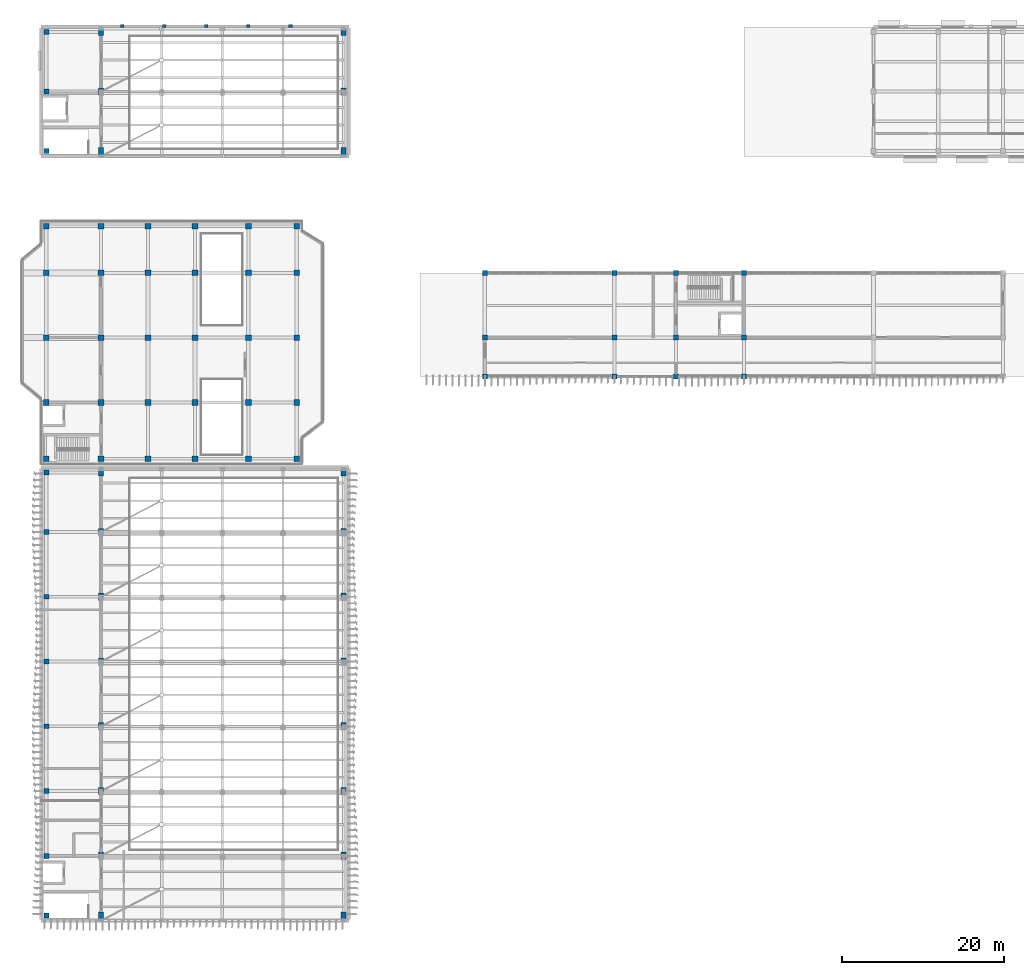
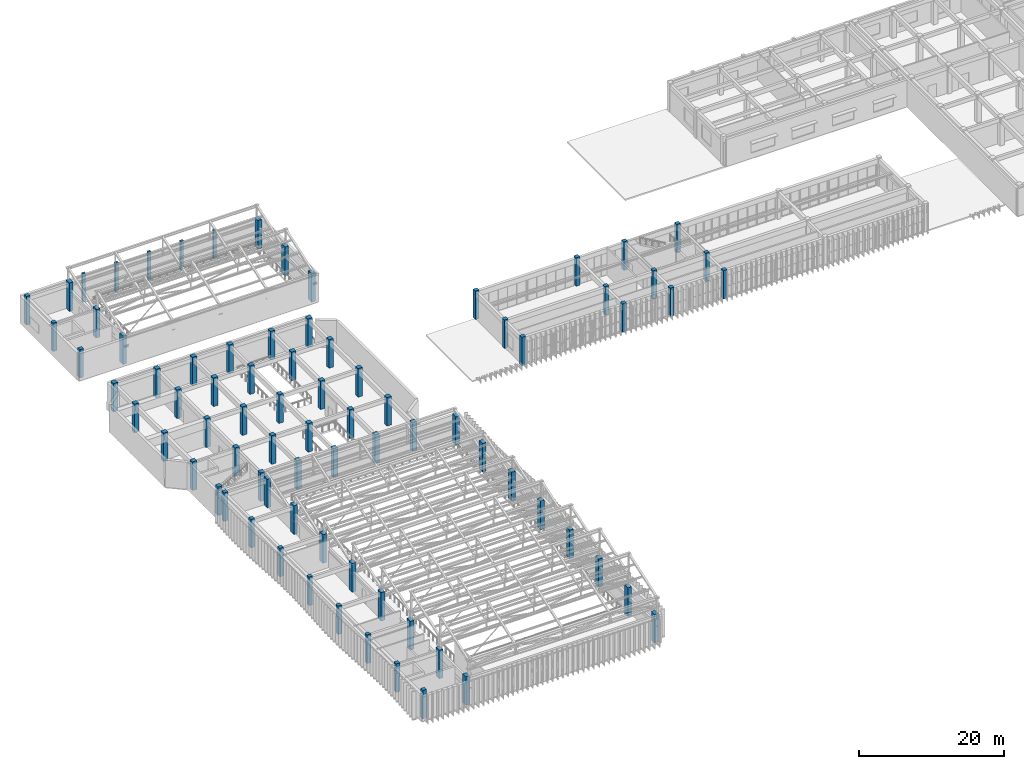
# One storey, part 1 of 76: 80 columns.
"""IFC4 building model written with IfcOpenShell, lengths in metres."""

import ifcopenshell
import ifcopenshell.guid

model = None  # the IFC model being written
_history = None  # IfcOwnerHistory: only IFC2X3 demands one
_inside = {}  # id of a spatial element -> (the spatial element, [elements in it])
_under = {}  # id of a project, library or spatial element -> (it, [spatial elements below it])
_declared = {}  # id of a project -> (the project, [libraries it declares])
_typed = {}  # id of a type object -> (the type object, [elements of that type])
_made_of = {}  # id of a material, layer set ... -> (it, [elements and type objects made of it])


def new_model(schema):
    """Start an empty IFC model of exactly this schema.

    Asked for "IFC4X3", IfcOpenShell would pick the latest addendum, in which some entities
    have other attributes; the version numbers below select the first issue.
    IFC2X3 requires an IfcOwnerHistory on every rooted entity: one is made here for all.
    """
    global model, _history
    if schema == "IFC4X3":
        model = ifcopenshell.file(schema_version=(4, 3, 0, 0))
    else:
        model = ifcopenshell.file(schema=schema)
    _inside.clear()
    _under.clear()
    _declared.clear()
    _typed.clear()
    _made_of.clear()
    _history = None
    if model.schema == "IFC2X3":
        org = make("IfcOrganization", Name="unknown")
        user = make(
            "IfcPersonAndOrganization",
            ThePerson=make("IfcPerson", FamilyName="unknown"),
            TheOrganization=org,
        )
        app = make(
            "IfcApplication",
            ApplicationDeveloper=org,
            Version="unknown",
            ApplicationFullName="unknown",
            ApplicationIdentifier="unknown",
        )
        _history = make(
            "IfcOwnerHistory",
            OwningUser=user,
            OwningApplication=app,
            ChangeAction="ADDED",
            CreationDate=0,
        )
    return model


def make(cls, **values):
    """One entity of the class cls with the attributes given. An attribute that is None is left unset."""
    return model.create_entity(
        cls, **{name: value for name, value in values.items() if value is not None}
    )


def rooted(cls, **values):
    """An entity with a GlobalId (a new one), such as an element, a storey or a relation."""
    return make(cls, GlobalId=ifcopenshell.guid.new(), OwnerHistory=_history, **values)


def si_unit(unit_type, name, prefix=None):
    """IfcSIUnit, for example si_unit("LENGTHUNIT", "METRE", prefix="MILLI")."""
    return make("IfcSIUnit", UnitType=unit_type, Prefix=prefix, Name=name)


def assignment(units):
    """IfcUnitAssignment: the units of a project."""
    return None if units is None else make("IfcUnitAssignment", Units=units)


def point(xyz):
    """IfcCartesianPoint."""
    return None if xyz is None else make("IfcCartesianPoint", Coordinates=xyz)


def direction(xyz):
    """IfcDirection."""
    return None if xyz is None else make("IfcDirection", DirectionRatios=xyz)


def frame(location, z_axis=None, x_axis=None):
    """IfcAxis2Placement3D, a coordinate frame: its origin and axes. An axis left out is left unset."""
    return make(
        "IfcAxis2Placement3D",
        Location=point(location),
        Axis=direction(z_axis),
        RefDirection=direction(x_axis),
    )


def frame_2d(location, x_axis=None):
    """IfcAxis2Placement2D, a coordinate frame in the plane: its origin and x axis."""
    return make(
        "IfcAxis2Placement2D", Location=point(location), RefDirection=direction(x_axis)
    )


def origin():
    """The frame at (0, 0, 0) with its axes left unset."""
    return frame((0.0, 0.0, 0.0))


def origin_2d():
    """The frame at (0, 0) in the plane with its x axis left unset."""
    return frame_2d((0.0, 0.0))


def place(relative_to, where):
    """IfcLocalPlacement: puts the frame where relative to a parent placement (None: the world)."""
    return make(
        "IfcLocalPlacement", PlacementRelTo=relative_to, RelativePlacement=where
    )


def context(
    kind, dimensions, precision=None, world=None, true_north=None, identifier=None
):
    """IfcGeometricRepresentationContext, for example the 3D "Model" context."""
    return make(
        "IfcGeometricRepresentationContext",
        ContextIdentifier=identifier,
        ContextType=kind,
        CoordinateSpaceDimension=dimensions,
        Precision=precision,
        WorldCoordinateSystem=world,
        TrueNorth=true_north,
    )


def subcontext(parent, identifier, kind, view, scale=None):
    """IfcGeometricRepresentationSubContext, for example "Body" below "Model"."""
    return make(
        "IfcGeometricRepresentationSubContext",
        ContextIdentifier=identifier,
        ContextType=kind,
        ParentContext=parent,
        TargetScale=scale,
        TargetView=view,
    )


def project(units=None, contexts=None):
    """IfcProject with its units and contexts."""
    return rooted(
        "IfcProject",
        Name="project",
        RepresentationContexts=contexts,
        UnitsInContext=assignment(units),
    )


def spatial(cls, under=None, at=None, **own):
    """A site, building, storey or space (cls), placed at a placement, below another one or the project."""
    s = rooted(cls, ObjectPlacement=at, **own)
    if under is not None:
        _under.setdefault(under.id(), (under, []))[1].append(s)
    return s


def profile(cls, at=None, kind="AREA", **sizes):
    """A parametric profile (cls). Its sizes go by their IFC names, for example OverallWidth=200.0."""
    return make(cls, ProfileType=kind, Position=at, **sizes)


def rectangle(**sizes):
    """IfcRectangleProfileDef."""
    return profile("IfcRectangleProfileDef", **sizes)


def extrude(swept, where, along, depth):
    """IfcExtrudedAreaSolid: the profile swept, set in the frame where, extruded along a direction by depth."""
    return make(
        "IfcExtrudedAreaSolid",
        SweptArea=swept,
        Position=where,
        ExtrudedDirection=direction(along),
        Depth=depth,
    )


def shape(context_of_items, identifier, shape_type, items):
    """IfcShapeRepresentation: the items that make up one representation, for example the "Body"."""
    return make(
        "IfcShapeRepresentation",
        ContextOfItems=context_of_items,
        RepresentationIdentifier=identifier,
        RepresentationType=shape_type,
        Items=items,
    )


def material(Name=None, Category=None):
    """IfcMaterial."""
    return make("IfcMaterial", Name=Name, Category=Category)


def material_profile(
    of_material, cross_section, Name=None, Category=None, Priority=None
):
    """IfcMaterialProfile: a cross section and its material."""
    return make(
        "IfcMaterialProfile",
        Name=Name,
        Material=of_material,
        Profile=cross_section,
        Priority=Priority,
        Category=Category,
    )


def profile_set(profiles, Name=None, composite=None):
    """IfcMaterialProfileSet."""
    return make(
        "IfcMaterialProfileSet",
        Name=Name,
        MaterialProfiles=profiles,
        CompositeProfile=composite,
    )


def made_of(thing, what):
    """Note that an element or type object is made of a material, layer set ...; save() writes the relation."""
    if what is not None:
        _made_of.setdefault(what.id(), (what, []))[1].append(thing)
    return thing


def type_object(cls, material=None, **own):
    """A type object (cls), such as IfcWallType, which elements share."""
    return made_of(rooted(cls, **own), material)


def element(
    cls,
    number,
    at=None,
    inside=None,
    cuts=None,
    type_object=None,
    material=None,
    context=None,
    identifier="Body",
    shape_type=None,
    held_by="IfcProductDefinitionShape",
    body=None,
    shapes=None,
    **own,
):
    """One element of the class cls, such as IfcWall. Its Tag is "e" and its number.

    at: its placement. inside: the storey or other place that contains it. cuts: it is an
    opening in that element (IfcRelVoidsElement). A single representation is given by context,
    identifier, shape_type and body (its items); several are given by shapes. held_by: the class
    of the entity that holds the representations. save() writes the other relations.
    """
    e = rooted(cls, Tag="e%d" % number, ObjectPlacement=at, **own)
    if body is not None:
        shapes = [shape(context, identifier, shape_type, body)]
    if shapes is not None:
        e.Representation = make(held_by, Representations=shapes)
    if inside is not None:
        _inside.setdefault(inside.id(), (inside, []))[1].append(e)
    if cuts is not None:
        rooted(
            "IfcRelVoidsElement", RelatingBuildingElement=cuts, RelatedOpeningElement=e
        )
    if type_object is not None:
        _typed.setdefault(type_object.id(), (type_object, []))[1].append(e)
    return made_of(e, material)


def aggregate(whole, parts):
    """IfcRelAggregates: a whole, such as a stair, and the parts it consists of."""
    return rooted("IfcRelAggregates", RelatingObject=whole, RelatedObjects=parts)


def save(model, path):
    """Write the relations noted so far, then the file.

    IfcRelAggregates (storeys below a building ...), IfcRelContainedInSpatialStructure (elements
    in a storey), IfcRelDefinesByType, IfcRelAssociatesMaterial and IfcRelDeclares: one each for
    every whole, place, type object, material and project.
    """
    for whole, parts in _under.values():
        aggregate(whole, parts)
    for where, things in _inside.values():
        rooted(
            "IfcRelContainedInSpatialStructure",
            RelatedElements=things,
            RelatingStructure=where,
        )
    for kind, things in _typed.values():
        rooted("IfcRelDefinesByType", RelatedObjects=things, RelatingType=kind)
    for what, things in _made_of.values():
        rooted("IfcRelAssociatesMaterial", RelatedObjects=things, RelatingMaterial=what)
    for by, libraries in _declared.values():
        rooted("IfcRelDeclares", RelatingContext=by, RelatedDefinitions=libraries)
    model.write(path)


model = new_model("IFC4")

# Units and contexts
model_context = context("Model", 3, precision=1e-05, world=origin(), true_north=direction((0.0, 1.0)))
body_context = subcontext(model_context, "Body", "Model", "MODEL_VIEW")
ifc_project = project(units=[si_unit("LENGTHUNIT", "METRE"), si_unit("AREAUNIT", "SQUARE_METRE"), si_unit("VOLUMEUNIT", "CUBIC_METRE"), si_unit("PLANEANGLEUNIT", "RADIAN"), si_unit("MASSUNIT", "GRAM", prefix="KILO")], contexts=[model_context])

# Site, building, storey
site_placement = place(None, origin())
site = spatial("IfcSite", under=ifc_project, at=site_placement, CompositionType="ELEMENT")
building_placement = place(site_placement, origin())
building = spatial("IfcBuilding", under=site, at=building_placement, Name="Cinchona Park Media Centre", CompositionType="ELEMENT")
storey_placement = place(building_placement, frame((0.0, 0.0, 15.60009765625)))
storey = spatial("IfcBuildingStorey", under=building, at=storey_placement, Name="L03", CompositionType="ELEMENT", Elevation=15.60009765625)

# Columns
ifc_material_1 = material(Name="Concrete C40/50", Category="concrete")
ifc_material_profile_1 = material_profile(ifc_material_1, rectangle(XDim=0.699951171875, YDim=0.699951171875, at=origin_2d()), Name="RC 700X700")
ifc_profile_set_1 = profile_set([ifc_material_profile_1], Name="Concrete C40/50")
column_type_1 = type_object("IfcColumnType", Name="COL-C02-RC700X700", PredefinedType="COLUMN", material=ifc_profile_set_1)
for number, where, z_axis, x_axis, name in (
    (1, (8.639892578125, 64.639892578125, 0.0), (0.0, 0.0, 1.0), (1.0, 0.0, 0.0), "Column C02 L03"),
    (2, (8.639892578125, 71.60009765625, 0.0), (0.0, 0.0, 1.0), (1.0, 0.0, 0.0), "Column C02 L03"),
    (3, (8.639892578125, 79.60009765625, 0.0), (0.0, 0.0, 1.0), (1.0, 0.0, 0.0), "Column C02 L03"),
    (4, (8.639892578125, 87.60009765625, 0.0), (0.0, 0.0, 1.0), (1.0, 0.0, 0.0), "Column C02 L03"),
    (5, (8.639892578125, 93.360107421875, 0.0), (0.0, 0.0, 1.0), (1.0, 0.0, 0.0), "Column C02 L03"),
    (6, (15.39990234375, 64.639892578125, 0.0), (0.0, 0.0, 1.0), (1.0, 0.0, 0.0), "Column C02 L03"),
    (7, (15.39990234375, 71.60009765625, 0.0), (0.0, 0.0, 1.0), (1.0, 0.0, 0.0), "Column C02 L03"),
    (8, (15.39990234375, 79.60009765625, 0.0), (0.0, 0.0, 1.0), (1.0, 0.0, 0.0), "Column C02 L03"),
    (9, (15.39990234375, 87.60009765625, 0.0), (0.0, 0.0, 1.0), (1.0, 0.0, 0.0), "Column C02 L03"),
    (10, (15.39990234375, 93.360107421875, 0.0), (0.0, 0.0, 1.0), (1.0, 0.0, 0.0), "Column C02 L03"),
    (11, (21.199951171875, 64.639892578125, 0.0), (0.0, 0.0, 1.0), (1.0, 0.0, 0.0), "Column C02 L03"),
    (12, (21.199951171875, 71.60009765625, 0.0), (0.0, 0.0, 1.0), (1.0, 0.0, 0.0), "Column C02 L03"),
    (13, (21.199951171875, 79.60009765625, 0.0), (0.0, 0.0, 1.0), (1.0, 0.0, 0.0), "Column C02 L03"),
    (14, (21.199951171875, 87.60009765625, 0.0), (0.0, 0.0, 1.0), (1.0, 0.0, 0.0), "Column C02 L03"),
    (15, (21.199951171875, 93.360107421875, 0.0), (0.0, 0.0, 1.0), (1.0, 0.0, 0.0), "Column C02 L03"),
    (16, (27.0, 64.639892578125, 0.0), (0.0, 0.0, 1.0), (1.0, 0.0, 0.0), "Column C02 L03"),
    (17, (27.0, 71.60009765625, 0.0), (0.0, 0.0, 1.0), (1.0, 0.0, 0.0), "Column C02 L03"),
    (18, (27.0, 79.60009765625, 0.0), (0.0, 0.0, 1.0), (1.0, 0.0, 0.0), "Column C02 L03"),
    (19, (27.0, 87.60009765625, 0.0), (0.0, 0.0, 1.0), (1.0, 0.0, 0.0), "Column C02 L03"),
    (20, (27.0, 93.360107421875, 0.0), (0.0, 0.0, 1.0), (1.0, 0.0, 0.0), "Column C02 L03"),
    (21, (33.60009765625, 64.639892578125, 0.0), (0.0, 0.0, 1.0), (1.0, 0.0, 0.0), "Column C02 L03"),
    (22, (33.60009765625, 71.60009765625, 0.0), (0.0, 0.0, 1.0), (1.0, 0.0, 0.0), "Column C02 L03"),
    (23, (33.60009765625, 79.60009765625, 0.0), (0.0, 0.0, 1.0), (1.0, 0.0, 0.0), "Column C02 L03"),
    (24, (33.60009765625, 87.60009765625, 0.0), (0.0, 0.0, 1.0), (1.0, 0.0, 0.0), "Column C02 L03"),
    (25, (33.60009765625, 93.360107421875, 0.0), (0.0, 0.0, 1.0), (1.0, 0.0, 0.0), "Column C02 L03"),
    (26, (39.56005859375, 64.639892578125, 0.0), (0.0, 0.0, 1.0), (1.0, 0.0, 0.0), "Column C02 L03"),
    (27, (39.56005859375, 71.60009765625, 0.0), (0.0, 0.0, 1.0), (1.0, 0.0, 0.0), "Column C02 L03"),
    (28, (39.56005859375, 79.60009765625, 0.0), (0.0, 0.0, 1.0), (1.0, 0.0, 0.0), "Column C02 L03"),
    (29, (39.56005859375, 87.60009765625, 0.0), (0.0, 0.0, 1.0), (1.0, 0.0, 0.0), "Column C02 L03"),
    (30, (39.56005859375, 93.360107421875, 0.0), (0.0, 0.0, 1.0), (1.0, 0.0, 0.0), "Column C02 L03"),
):
    element("IfcColumn", number, at=place(storey_placement, frame(where, z_axis=z_axis, x_axis=x_axis)), inside=storey, type_object=column_type_1, Name=name, PredefinedType="COLUMN", context=body_context, shape_type="SweptSolid", body=[
        extrude(rectangle(XDim=0.699951171875, YDim=0.699951171875, at=origin_2d()), origin(), (0.0, 0.0, 1.0), 4.7998046875),
    ])
ifc_material_2 = material(Name="Concrete C40/50", Category="concrete")
ifc_material_profile_2 = material_profile(ifc_material_2, rectangle(XDim=0.60009765625, YDim=0.60009765625, at=origin_2d()), Name="RC 600X600")
ifc_profile_set_2 = profile_set([ifc_material_profile_2], Name="Concrete C40/50")
column_type_2 = type_object("IfcColumnType", Name="COL-C03-RC600X600", PredefinedType="COLUMN", material=ifc_profile_set_2)
for number, where, z_axis, x_axis, name in (
    (31, (8.639892578125, 8.239990234375, 0.0), (0.0, 0.0, 1.0), (1.0, 0.0, 0.0), "Column C03 L03"),
    (32, (8.639892578125, 15.60009765625, 0.0), (0.0, 0.0, 1.0), (1.0, 0.0, 0.0), "Column C03 L03"),
    (33, (8.639892578125, 23.60009765625, 0.0), (0.0, 0.0, 1.0), (1.0, 0.0, 0.0), "Column C03 L03"),
    (34, (8.639892578125, 31.60009765625, 0.0), (0.0, 0.0, 1.0), (1.0, 0.0, 0.0), "Column C03 L03"),
    (35, (8.639892578125, 39.60009765625, 0.0), (0.0, 0.0, 1.0), (1.0, 0.0, 0.0), "Column C03 L03"),
    (36, (8.639892578125, 47.60009765625, 0.0), (0.0, 0.0, 1.0), (1.0, 0.0, 0.0), "Column C03 L03"),
    (37, (8.639892578125, 55.60009765625, 0.0), (0.0, 0.0, 1.0), (1.0, 0.0, 0.0), "Column C03 L03"),
    (38, (8.639892578125, 62.9599609375, 0.0), (0.0, 0.0, 1.0), (1.0, 0.0, 0.0), "Column C03 L03"),
    (39, (8.639892578125, 102.639892578125, 0.0), (0.0, 0.0, 1.0), (1.0, 0.0, 0.0), "Column C03 L03"),
    (40, (8.639892578125, 110.0, 0.0), (0.0, 0.0, 1.0), (1.0, 0.0, 0.0), "Column C03 L03"),
    (41, (8.639892578125, 117.360107421875, 0.0), (0.0, 0.0, 1.0), (1.0, 0.0, 0.0), "Column C03 L03"),
    (42, (62.800048828125, 74.800048828125, 0.0), (0.0, 0.0, 1.0), (1.0, 0.0, 0.0), "Column C03 L03"),
    (43, (62.800048828125, 79.60009765625, 0.0), (0.0, 0.0, 1.0), (1.0, 0.0, 0.0), "Column C03 L03"),
    (44, (62.800048828125, 87.60009765625, 0.0), (0.0, 0.0, 1.0), (1.0, 0.0, 0.0), "Column C03 L03"),
    (45, (78.800048828125, 74.800048828125, 0.0), (0.0, 0.0, 1.0), (1.0, 0.0, 0.0), "Column C03 L03"),
    (46, (78.800048828125, 79.60009765625, 0.0), (0.0, 0.0, 1.0), (1.0, 0.0, 0.0), "Column C03 L03"),
    (47, (78.800048828125, 87.60009765625, 0.0), (0.0, 0.0, 1.0), (1.0, 0.0, 0.0), "Column C03 L03"),
    (48, (86.39990234375, 74.800048828125, 0.0), (0.0, 0.0, 1.0), (1.0, 0.0, 0.0), "Column C03 L03"),
    (49, (86.39990234375, 79.60009765625, 0.0), (0.0, 0.0, 1.0), (1.0, 0.0, 0.0), "Column C03 L03"),
    (50, (86.39990234375, 87.60009765625, 0.0), (0.0, 0.0, 1.0), (1.0, 0.0, 0.0), "Column C03 L03"),
    (51, (94.800048828125, 74.800048828125, 0.0), (0.0, 0.0, 1.0), (1.0, 0.0, 0.0), "Column C03 L03"),
    (52, (94.800048828125, 79.60009765625, 0.0), (0.0, 0.0, 1.0), (1.0, 0.0, 0.0), "Column C03 L03"),
    (53, (94.800048828125, 87.60009765625, 0.0), (0.0, 0.0, 1.0), (1.0, 0.0, 0.0), "Column C03 L03"),
):
    element("IfcColumn", number, at=place(storey_placement, frame(where, z_axis=z_axis, x_axis=x_axis)), inside=storey, type_object=column_type_2, Name=name, PredefinedType="COLUMN", context=body_context, shape_type="SweptSolid", body=[
        extrude(rectangle(XDim=0.60009765625, YDim=0.60009765625, at=origin_2d()), origin(), (0.0, 0.0, 1.0), 4.7998046875),
    ])
ifc_material_3 = material(Name="Concrete C40/50", Category="concrete")
ifc_material_profile_3 = material_profile(ifc_material_3, rectangle(XDim=0.60009765625, YDim=0.89990234375, at=origin_2d()), Name="RC 600X900")
ifc_profile_set_3 = profile_set([ifc_material_profile_3], Name="Concrete C40/50")
column_type_3 = type_object("IfcColumnType", Name="COL-C05-RC600X900", PredefinedType="COLUMN", material=ifc_profile_set_3)
for number, where, z_axis, x_axis, name in (
    (54, (15.39990234375, 8.239990234375, 0.0), (0.0, 0.0, 1.0), (1.0, 0.0, 0.0), "Column C05 L03"),
    (55, (15.39990234375, 15.60009765625, 0.0), (0.0, 0.0, 1.0), (1.0, 0.0, 0.0), "Column C05 L03"),
    (56, (15.39990234375, 23.60009765625, 0.0), (0.0, 0.0, 1.0), (1.0, 0.0, 0.0), "Column C05 L03"),
    (57, (15.39990234375, 31.60009765625, 0.0), (0.0, 0.0, 1.0), (1.0, 0.0, 0.0), "Column C05 L03"),
    (58, (15.39990234375, 39.60009765625, 0.0), (0.0, 0.0, 1.0), (1.0, 0.0, 0.0), "Column C05 L03"),
    (59, (15.39990234375, 47.60009765625, 0.0), (0.0, 0.0, 1.0), (1.0, 0.0, 0.0), "Column C05 L03"),
    (60, (15.39990234375, 55.60009765625, 0.0), (0.0, 0.0, 1.0), (1.0, 0.0, 0.0), "Column C05 L03"),
    (61, (15.39990234375, 62.9599609375, 0.0), (0.0, 0.0, 1.0), (1.0, 0.0, 0.0), "Column C05 L03"),
    (62, (45.360107421875, 8.239990234375, 0.0), (0.0, 0.0, 1.0), (1.0, 0.0, 0.0), "Column C05 L03"),
    (63, (45.360107421875, 15.60009765625, 0.0), (0.0, 0.0, 1.0), (1.0, 0.0, 0.0), "Column C05 L03"),
    (64, (45.360107421875, 23.60009765625, 0.0), (0.0, 0.0, 1.0), (1.0, 0.0, 0.0), "Column C05 L03"),
    (65, (45.360107421875, 31.60009765625, 0.0), (0.0, 0.0, 1.0), (1.0, 0.0, 0.0), "Column C05 L03"),
    (66, (45.360107421875, 39.60009765625, 0.0), (0.0, 0.0, 1.0), (1.0, 0.0, 0.0), "Column C05 L03"),
    (67, (45.360107421875, 47.60009765625, 0.0), (0.0, 0.0, 1.0), (1.0, 0.0, 0.0), "Column C05 L03"),
    (68, (45.360107421875, 55.60009765625, 0.0), (0.0, 0.0, 1.0), (1.0, 0.0, 0.0), "Column C05 L03"),
    (69, (45.360107421875, 62.9599609375, 0.0), (0.0, 0.0, 1.0), (1.0, 0.0, 0.0), "Column C05 L03"),
    (70, (15.39990234375, 102.639892578125, 0.0), (0.0, 0.0, 1.0), (1.0, 0.0, 0.0), "Column C05 L03"),
    (71, (15.39990234375, 110.0, 0.0), (0.0, 0.0, 1.0), (1.0, 0.0, 0.0), "Column C05 L03"),
    (72, (15.39990234375, 117.360107421875, 0.0), (0.0, 0.0, 1.0), (1.0, 0.0, 0.0), "Column C05 L03"),
    (73, (45.360107421875, 102.639892578125, 0.0), (0.0, 0.0, 1.0), (1.0, 0.0, 0.0), "Column C05 L03"),
    (74, (45.360107421875, 110.0, 0.0), (0.0, 0.0, 1.0), (1.0, 0.0, 0.0), "Column C05 L03"),
    (75, (45.360107421875, 117.360107421875, 0.0), (0.0, 0.0, 1.0), (1.0, 0.0, 0.0), "Column C05 L03"),
):
    element("IfcColumn", number, at=place(storey_placement, frame(where, z_axis=z_axis, x_axis=x_axis)), inside=storey, type_object=column_type_3, Name=name, PredefinedType="COLUMN", context=body_context, shape_type="SweptSolid", body=[
        extrude(rectangle(XDim=0.60009765625, YDim=0.89990234375, at=origin_2d()), origin(), (0.0, 0.0, 1.0), 4.7998046875),
    ])
ifc_material_4 = material(Name="Concrete C40/50", Category="concrete")
ifc_material_profile_4 = material_profile(ifc_material_4, rectangle(XDim=0.35009765625, YDim=0.449951171875, at=origin_2d()), Name="RC 350X450")
ifc_profile_set_4 = profile_set([ifc_material_profile_4], Name="Concrete C40/50")
column_type_4 = type_object("IfcColumnType", Name="COL-CP01-RC350X450", PredefinedType="PILASTER", material=ifc_profile_set_4)
for number, where, z_axis, x_axis, name in (
    (76, (18.0, 118.080078125, 0.0), (0.0, 0.0, 1.0), (0.0, 1.0, 0.0), "Pilaster CP01 L03"),
    (77, (23.199951171875, 118.080078125, 0.0), (0.0, 0.0, 1.0), (0.0, 1.0, 0.0), "Pilaster CP01 L03"),
    (78, (28.39990234375, 118.080078125, 0.0), (0.0, 0.0, 1.0), (0.0, 1.0, 0.0), "Pilaster CP01 L03"),
    (79, (33.60009765625, 118.080078125, 0.0), (0.0, 0.0, 1.0), (0.0, 1.0, 0.0), "Pilaster CP01 L03"),
    (80, (38.800048828125, 118.080078125, 0.0), (0.0, 0.0, 1.0), (0.0, 1.0, 0.0), "Pilaster CP01 L03"),
):
    element("IfcColumn", number, at=place(storey_placement, frame(where, z_axis=z_axis, x_axis=x_axis)), inside=storey, type_object=column_type_4, Name=name, PredefinedType="PILASTER", context=body_context, shape_type="SweptSolid", body=[
        extrude(rectangle(XDim=0.35009765625, YDim=0.449951171875, at=origin_2d()), origin(), (0.0, 0.0, 1.0), 4.7998046875),
    ])

save(model, "model.ifc")
